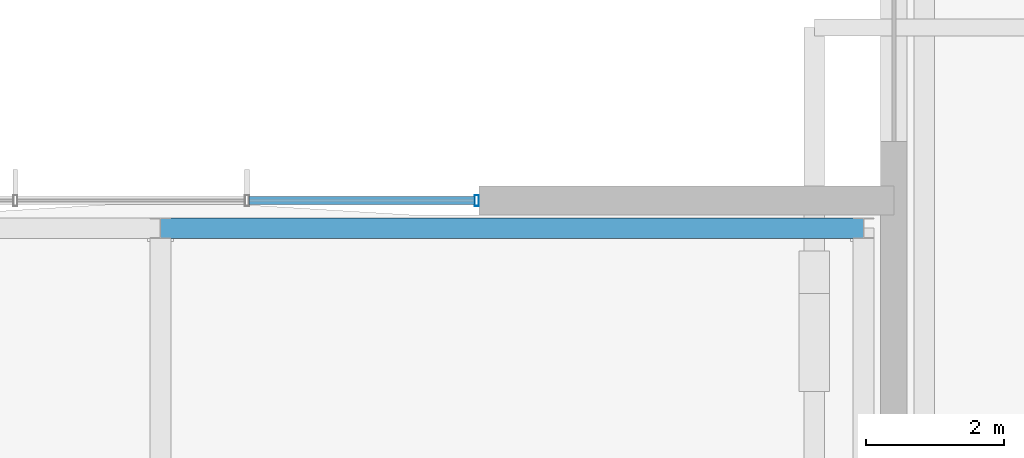
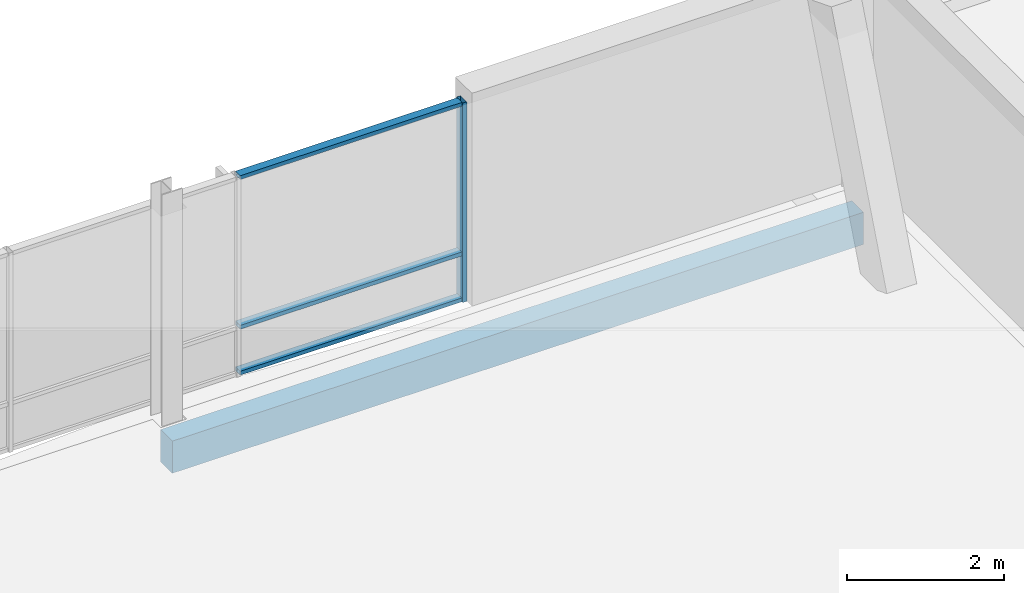
# One storey, part 56 of 189: 4 members, 1 beam, 1 element without a shape of its own.
"""IFC4 building model written with IfcOpenShell, lengths in metres."""

from ifc_helpers import new_model, si_unit, direction, frame, origin, origin_2d, place, context, subcontext, project, spatial, rectangle, hollow_rectangle, extrude, material, material_profile, profile_set, type_object, element, aggregate, save


model = new_model("IFC4")

# Units and contexts
model_context = context("Model", 3, precision=1e-05, world=origin(), true_north=direction((0.0, 1.0)))
body_context = subcontext(model_context, "Body", "Model", "MODEL_VIEW")
ifc_project = project(units=[si_unit("LENGTHUNIT", "METRE"), si_unit("AREAUNIT", "SQUARE_METRE"), si_unit("VOLUMEUNIT", "CUBIC_METRE"), si_unit("PLANEANGLEUNIT", "RADIAN"), si_unit("MASSUNIT", "GRAM", prefix="KILO")], contexts=[model_context])

# Site, building, storey
site_placement = place(None, origin())
site = spatial("IfcSite", under=ifc_project, at=site_placement, CompositionType="ELEMENT")
building_placement = place(site_placement, origin())
building = spatial("IfcBuilding", under=site, at=building_placement, Name="Zavelmont Quarter", CompositionType="ELEMENT")
storey_placement = place(building_placement, frame((0.0, 0.0, 4.39990234375)))
storey = spatial("IfcBuildingStorey", under=building, at=storey_placement, Name="L01", CompositionType="ELEMENT", Elevation=4.39990234375)

# Beam
ifc_material_1 = material(Name="Concrete C35/45", Category="concrete")
ifc_material_profile_1 = material_profile(ifc_material_1, rectangle(XDim=0.300048828125, YDim=0.5, at=origin_2d()), Name="RC300X500")
ifc_profile_set_1 = profile_set([ifc_material_profile_1], Name="Concrete C35/45")
beam_type = type_object("IfcBeamType", Name="BM03", PredefinedType="BEAM", material=ifc_profile_set_1)
beam_placement = place(storey_placement, frame((102.199951171875, 14.0, -0.52978515625), z_axis=(1.0, 0.0, 0.0), x_axis=(0.0, 1.0, 0.0)))
element("IfcBeam", 1, at=beam_placement, inside=storey, type_object=beam_type, Name="L01 beam BM03 16/C to 17/C", PredefinedType="BEAM", context=body_context, shape_type="SweptSolid", body=[
    extrude(rectangle(XDim=0.300048828125, YDim=0.5, at=origin_2d()), origin(), (0.0, 0.0, 1.0), 10.16015625),
])

# Curtain wall, members
ifc_material_2 = material(Name="Thermally broken aluminium and double low-E safety glazing", Category="aluminium")
curtain_wall_type = type_object("IfcCurtainWallType", Name="CW-1340X310", PredefinedType="NOTDEFINED", material=ifc_material_2)
curtain_wall_placement = place(storey_placement, origin())
curtain_wall = element("IfcCurtainWall", 2, at=curtain_wall_placement, inside=storey, type_object=curtain_wall_type, Name="L01 unitised curtain wall CW-1340X310", PredefinedType="NOTDEFINED")
ifc_material_3 = material(Name="Powder-coated aluminium EN AW-6063-T6", Category="aluminium")
ifc_material_profile_2 = material_profile(ifc_material_3, hollow_rectangle(XDim=0.06005859375, YDim=0.159912109375, WallThickness=0.00390625, at=origin_2d()), Name="CWM60X160")
ifc_profile_set_2 = profile_set([ifc_material_profile_2], Name="Powder-coated aluminium EN AW-6063-T6")
member_type_1 = type_object("IfcMemberType", Name="CWM01", PredefinedType="MULLION", material=ifc_profile_set_2)
member_1_placement = place(storey_placement, frame((106.77001953125, 14.39990234375, 0.0), z_axis=(0.0, 0.0, 1.0), x_axis=(1.0, 0.0, 0.0)))
member_1 = element("IfcMember", 3, at=member_1_placement, type_object=member_type_1, Name="CW-1340X310 mullion 5", PredefinedType="MULLION", context=body_context, shape_type="SweptSolid", body=[
    extrude(hollow_rectangle(XDim=0.06005859375, YDim=0.159912109375, WallThickness=0.00390625, at=origin_2d()), origin(), (0.0, 0.0, 1.0), 3.10009765625),
])
ifc_material_profile_3 = material_profile(ifc_material_3, hollow_rectangle(XDim=0.1201171875, YDim=0.06005859375, WallThickness=0.00390625, at=origin_2d()), Name="CWT60X120")
ifc_profile_set_3 = profile_set([ifc_material_profile_3], Name="Powder-coated aluminium EN AW-6063-T6")
member_type_2 = type_object("IfcMemberType", Name="CWT01", PredefinedType="NOTDEFINED", material=ifc_profile_set_3)
member_2_placement = place(storey_placement, frame((103.47998046875, 14.39990234375, 0.030029296875), z_axis=(1.0, 0.0, 0.0), x_axis=(0.0, 1.0, 0.0)))
member_2 = element("IfcMember", 4, at=member_2_placement, type_object=member_type_2, Name="CW-1340X310 transom 4.1", ObjectType="TRANSOM", PredefinedType="USERDEFINED", context=body_context, shape_type="SweptSolid", body=[
    extrude(hollow_rectangle(XDim=0.1201171875, YDim=0.06005859375, WallThickness=0.00390625, at=origin_2d()), origin(), (0.0, 0.0, 1.0), 3.260009765625),
])
member_3_placement = place(storey_placement, frame((103.47998046875, 14.39990234375, 0.744140625), z_axis=(1.0, 0.0, 0.0), x_axis=(0.0, 1.0, 0.0)))
member_3 = element("IfcMember", 5, at=member_3_placement, type_object=member_type_2, Name="CW-1340X310 transom 4.2", ObjectType="TRANSOM", PredefinedType="USERDEFINED", context=body_context, shape_type="SweptSolid", body=[
    extrude(hollow_rectangle(XDim=0.1201171875, YDim=0.06005859375, WallThickness=0.00390625, at=origin_2d()), origin(), (0.0, 0.0, 1.0), 3.260009765625),
])
member_4_placement = place(storey_placement, frame((103.47998046875, 14.39990234375, 3.070068359375), z_axis=(1.0, 0.0, 0.0), x_axis=(0.0, 1.0, 0.0)))
member_4 = element("IfcMember", 6, at=member_4_placement, type_object=member_type_2, Name="CW-1340X310 transom 4.3", ObjectType="TRANSOM", PredefinedType="USERDEFINED", context=body_context, shape_type="SweptSolid", body=[
    extrude(hollow_rectangle(XDim=0.1201171875, YDim=0.06005859375, WallThickness=0.00390625, at=origin_2d()), origin(), (0.0, 0.0, 1.0), 3.260009765625),
])
aggregate(curtain_wall, [member_1, member_2, member_3, member_4])

save(model, "model.ifc")
